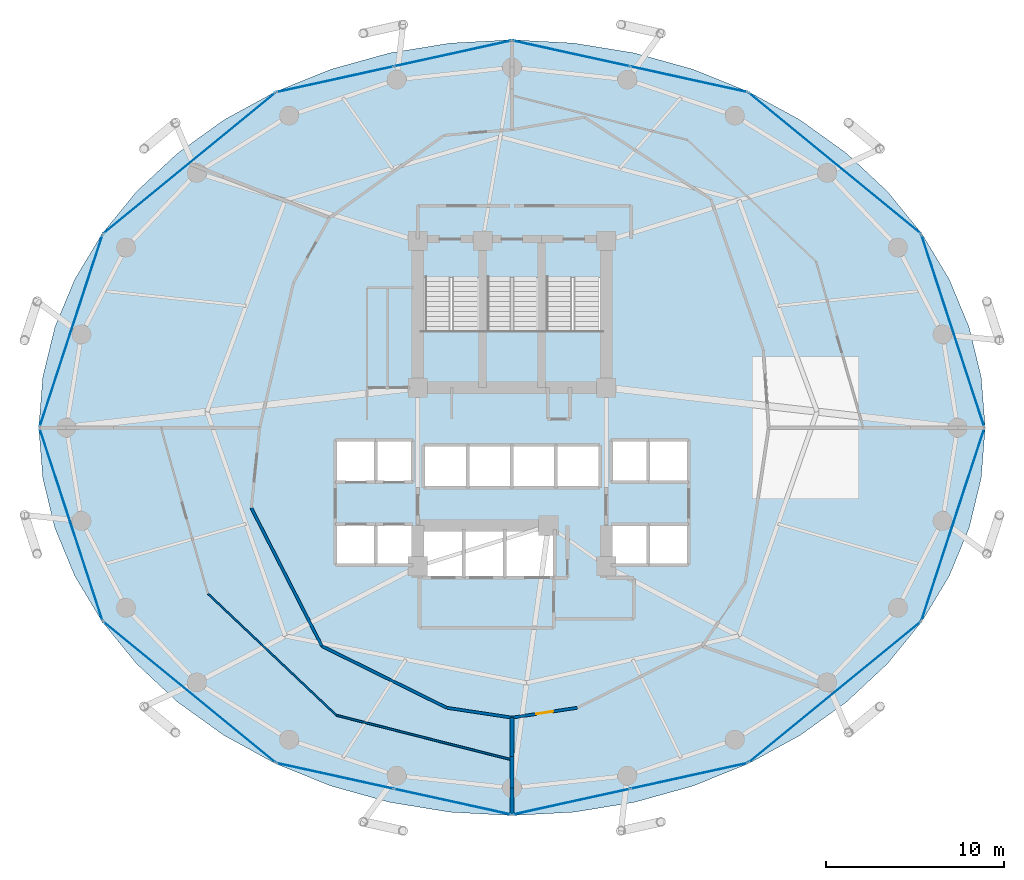
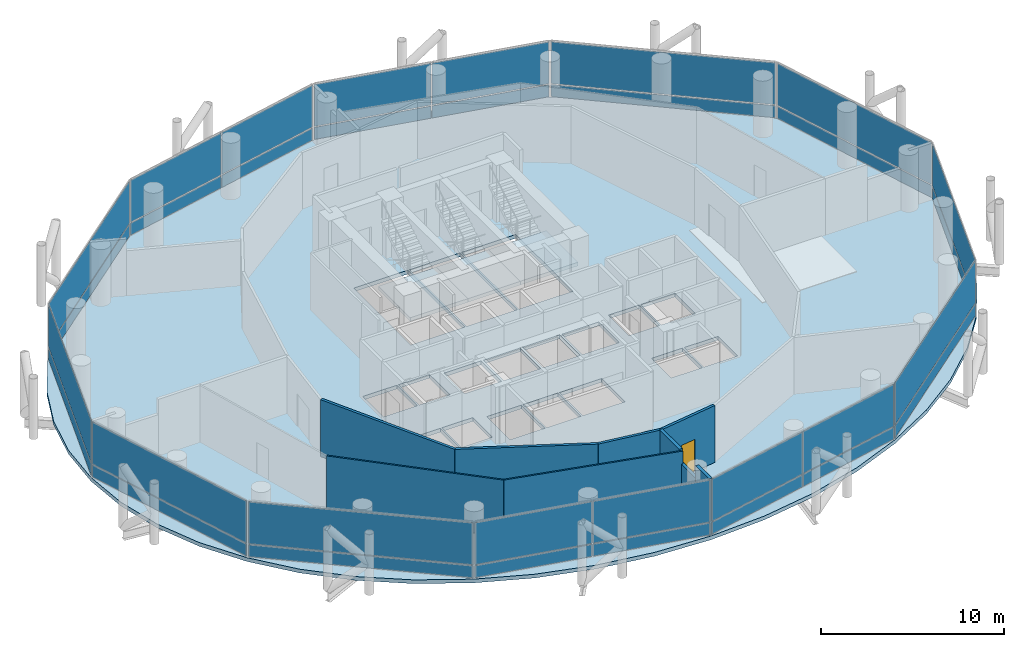
# One storey, part 20 of 24: 32 plates, 9 walls, 4 slabs, 1 door, 1 opening, 15 elements without a shape of their own.
"""IFC4 building model written with IfcOpenShell, lengths in metres."""

from ifc_helpers import new_model, si_unit, direction, frame, frame_2d, origin, origin_2d, place, context, subcontext, project, spatial, polyline, rectangle, outline, extrude, material, layer, layer_set, type_object, element, fill, aggregate, save


model = new_model("IFC4")

# Units and contexts
model_context = context("Model", 3, precision=1e-05, world=origin(), true_north=direction((0.0, 1.0)))
body_context = subcontext(model_context, "Body", "Model", "MODEL_VIEW")
ifc_project = project(units=[si_unit("LENGTHUNIT", "METRE"), si_unit("AREAUNIT", "SQUARE_METRE"), si_unit("VOLUMEUNIT", "CUBIC_METRE"), si_unit("PLANEANGLEUNIT", "RADIAN"), si_unit("MASSUNIT", "GRAM", prefix="KILO")], contexts=[model_context])

# Site, building, storey
site_placement = place(None, origin())
site = spatial("IfcSite", under=ifc_project, at=site_placement, CompositionType="ELEMENT")
building_placement = place(site_placement, origin())
building = spatial("IfcBuilding", under=site, at=building_placement, Name="Nuhasar Tower", CompositionType="ELEMENT")
storey_placement = place(building_placement, frame((0.0, 0.0, 69.60009765625)))
storey = spatial("IfcBuildingStorey", under=building, at=storey_placement, Name="L16", CompositionType="ELEMENT", Elevation=69.60009765625)

# Curtain wall, plate
ifc_material_1 = material(Name="Aluminium 6063-T6", Category="aluminium")
ifc_layer_1 = layer(ifc_material_1, 0.199951171875)
ifc_layer_set_1 = layer_set([ifc_layer_1], Name="Aluminium 6063-T6")
curtain_wall_type = type_object("IfcCurtainWallType", Name="CW-Z1-OFF", PredefinedType="NOTDEFINED", material=ifc_layer_set_1)
curtain_wall_1_placement = place(storey_placement, origin())
curtain_wall_1 = element("IfcCurtainWall", 1, at=curtain_wall_1_placement, inside=storey, type_object=curtain_wall_type, Name="L16 Unitised Curtain Wall 01", PredefinedType="NOTDEFINED")
ifc_material_2 = material(Name="Glass Double Low-E", Category="glass")
ifc_layer_2 = layer(ifc_material_2, 0.028076171875)
ifc_layer_set_2 = layer_set([ifc_layer_2], Name="Glass Double Low-E")
plate_type_1 = type_object("IfcPlateType", Name="CW-PANEL-GLZ", PredefinedType="CURTAIN_PANEL", material=ifc_layer_set_2)
plate_1_placement = place(storey_placement, frame((63.781005859375, 32.239990234375, 0.9326171875), z_axis=(0.0, 0.0, 1.0), x_axis=(-0.310823849997, 0.950467534571, 0.0)))
plate_1 = element("IfcPlate", 2, at=plate_1_placement, type_object=plate_type_1, Name="CW-Z1 panel 1.2", PredefinedType="CURTAIN_PANEL", context=body_context, shape_type="SweptSolid", body=[
    extrude(rectangle(XDim=11.31689453125, YDim=0.028076171875, at=origin_2d()), origin(), (0.0, 0.0, 1.0), 2.802490234375),
])

curtain_wall_2_placement = place(storey_placement, origin())
curtain_wall_2 = element("IfcCurtainWall", 3, at=curtain_wall_2_placement, inside=storey, type_object=curtain_wall_type, Name="L16 Unitised Curtain Wall 02", PredefinedType="NOTDEFINED")
plate_2_placement = place(storey_placement, frame((57.14111328125, 41.66259765625, 0.9326171875), z_axis=(0.0, 0.0, 1.0), x_axis=(-0.773542364946, 0.633744593376, 0.0)))
plate_2 = element("IfcPlate", 4, at=plate_2_placement, type_object=plate_type_1, Name="CW-Z1 panel 1.2", PredefinedType="CURTAIN_PANEL", context=body_context, shape_type="SweptSolid", body=[
    extrude(rectangle(XDim=12.438232421875, YDim=0.028076171875, at=origin_2d()), origin(), (0.0, 0.0, 1.0), 2.802490234375),
])

# Curtain wall, plates
curtain_wall_3_placement = place(storey_placement, origin())
curtain_wall_3 = element("IfcCurtainWall", 5, at=curtain_wall_3_placement, inside=storey, type_object=curtain_wall_type, Name="L16 Unitised Curtain Wall 03", PredefinedType="NOTDEFINED")
plate_3_placement = place(storey_placement, frame((48.944091796875, 46.377197265625, 0.9326171875), z_axis=(0.0, 0.0, 1.0), x_axis=(-0.976746221544, 0.214398737637, 0.0)))
plate_3 = element("IfcPlate", 6, at=plate_3_placement, type_object=plate_type_1, Name="CW-Z1 panel 1.2", PredefinedType="CURTAIN_PANEL", context=body_context, shape_type="SweptSolid", body=[
    extrude(rectangle(XDim=6.70068359375, YDim=0.028076171875, at=origin_2d()), origin(), (0.0, 0.0, 1.0), 2.802490234375),
])
plate_4_placement = place(storey_placement, frame((42.3359375, 47.827880859375, 0.9326171875), z_axis=(0.0, 0.0, 1.0), x_axis=(-0.976746221544, 0.214398737637, 0.0)))
plate_4 = element("IfcPlate", 7, at=plate_4_placement, type_object=plate_type_1, Name="CW-Z1 panel 2.2", PredefinedType="CURTAIN_PANEL", context=body_context, shape_type="SweptSolid", body=[
    extrude(rectangle(XDim=6.70068359375, YDim=0.028076171875, at=origin_2d()), origin(), (0.0, 0.0, 1.0), 2.802490234375),
])

curtain_wall_4_placement = place(storey_placement, origin())
curtain_wall_4 = element("IfcCurtainWall", 8, at=curtain_wall_4_placement, inside=storey, type_object=curtain_wall_type, Name="L16 Unitised Curtain Wall 04", PredefinedType="NOTDEFINED")
plate_5_placement = place(storey_placement, frame((35.6640625, 47.827880859375, 0.9326171875), z_axis=(0.0, 0.0, 1.0), x_axis=(-0.976746221544, -0.214398737637, 0.0)))
plate_5 = element("IfcPlate", 9, at=plate_5_placement, type_object=plate_type_1, Name="CW-Z1 panel 1.2", PredefinedType="CURTAIN_PANEL", context=body_context, shape_type="SweptSolid", body=[
    extrude(rectangle(XDim=6.70068359375, YDim=0.028076171875, at=origin_2d()), origin(), (0.0, 0.0, 1.0), 2.802490234375),
])
plate_6_placement = place(storey_placement, frame((29.055908203125, 46.377197265625, 0.9326171875), z_axis=(0.0, 0.0, 1.0), x_axis=(-0.976746221544, -0.214398737637, 0.0)))
plate_6 = element("IfcPlate", 10, at=plate_6_placement, type_object=plate_type_1, Name="CW-Z1 panel 2.2", PredefinedType="CURTAIN_PANEL", context=body_context, shape_type="SweptSolid", body=[
    extrude(rectangle(XDim=6.70068359375, YDim=0.028076171875, at=origin_2d()), origin(), (0.0, 0.0, 1.0), 2.802490234375),
])

# Curtain wall, plate
curtain_wall_5_placement = place(storey_placement, origin())
curtain_wall_5 = element("IfcCurtainWall", 11, at=curtain_wall_5_placement, inside=storey, type_object=curtain_wall_type, Name="L16 Unitised Curtain Wall 05", PredefinedType="NOTDEFINED")
plate_7_placement = place(storey_placement, frame((20.85888671875, 41.66259765625, 0.9326171875), z_axis=(0.0, 0.0, 1.0), x_axis=(-0.773542364946, -0.633744593376, 0.0)))
plate_7 = element("IfcPlate", 12, at=plate_7_placement, type_object=plate_type_1, Name="CW-Z1 panel 1.2", PredefinedType="CURTAIN_PANEL", context=body_context, shape_type="SweptSolid", body=[
    extrude(rectangle(XDim=12.438232421875, YDim=0.028076171875, at=origin_2d()), origin(), (0.0, 0.0, 1.0), 2.802490234375),
])

curtain_wall_6_placement = place(storey_placement, origin())
curtain_wall_6 = element("IfcCurtainWall", 13, at=curtain_wall_6_placement, inside=storey, type_object=curtain_wall_type, Name="L16 Unitised Curtain Wall 06", PredefinedType="NOTDEFINED")
plate_8_placement = place(storey_placement, frame((14.218994140625, 32.239990234375, 0.9326171875), z_axis=(0.0, 0.0, 1.0), x_axis=(-0.310823849997, -0.950467534571, 0.0)))
plate_8 = element("IfcPlate", 14, at=plate_8_placement, type_object=plate_type_1, Name="CW-Z1 panel 1.2", PredefinedType="CURTAIN_PANEL", context=body_context, shape_type="SweptSolid", body=[
    extrude(rectangle(XDim=11.31689453125, YDim=0.028076171875, at=origin_2d()), origin(), (0.0, 0.0, 1.0), 2.802490234375),
])

curtain_wall_7_placement = place(storey_placement, origin())
curtain_wall_7 = element("IfcCurtainWall", 15, at=curtain_wall_7_placement, inside=storey, type_object=curtain_wall_type, Name="L16 Unitised Curtain Wall 07", PredefinedType="NOTDEFINED")
plate_9_placement = place(storey_placement, frame((14.218994140625, 21.360107421875, 0.9326171875), z_axis=(0.0, 0.0, 1.0), x_axis=(0.310823849997, -0.950467534571, 0.0)))
plate_9 = element("IfcPlate", 16, at=plate_9_placement, type_object=plate_type_1, Name="CW-Z1 panel 1.2", PredefinedType="CURTAIN_PANEL", context=body_context, shape_type="SweptSolid", body=[
    extrude(rectangle(XDim=11.31689453125, YDim=0.028076171875, at=origin_2d()), origin(), (0.0, 0.0, 1.0), 2.802490234375),
])

curtain_wall_8_placement = place(storey_placement, origin())
curtain_wall_8 = element("IfcCurtainWall", 17, at=curtain_wall_8_placement, inside=storey, type_object=curtain_wall_type, Name="L16 Unitised Curtain Wall 08", PredefinedType="NOTDEFINED")
plate_10_placement = place(storey_placement, frame((20.85888671875, 11.9375, 0.9326171875), z_axis=(0.0, 0.0, 1.0), x_axis=(0.773542364946, -0.633744593376, 0.0)))
plate_10 = element("IfcPlate", 18, at=plate_10_placement, type_object=plate_type_1, Name="CW-Z1 panel 1.2", PredefinedType="CURTAIN_PANEL", context=body_context, shape_type="SweptSolid", body=[
    extrude(rectangle(XDim=12.438232421875, YDim=0.028076171875, at=origin_2d()), origin(), (0.0, 0.0, 1.0), 2.802490234375),
])

# Curtain wall, plates
curtain_wall_9_placement = place(storey_placement, origin())
curtain_wall_9 = element("IfcCurtainWall", 19, at=curtain_wall_9_placement, inside=storey, type_object=curtain_wall_type, Name="L16 Unitised Curtain Wall 09", PredefinedType="NOTDEFINED")
plate_11_placement = place(storey_placement, frame((29.055908203125, 7.22265625, 0.9326171875), z_axis=(0.0, 0.0, 1.0), x_axis=(0.976746221544, -0.214398737637, 0.0)))
plate_11 = element("IfcPlate", 20, at=plate_11_placement, type_object=plate_type_1, Name="CW-Z1 panel 1.2", PredefinedType="CURTAIN_PANEL", context=body_context, shape_type="SweptSolid", body=[
    extrude(rectangle(XDim=6.70068359375, YDim=0.028076171875, at=origin_2d()), origin(), (0.0, 0.0, 1.0), 2.802490234375),
])
plate_12_placement = place(storey_placement, frame((35.6640625, 5.772216796875, 0.9326171875), z_axis=(0.0, 0.0, 1.0), x_axis=(0.976746221544, -0.214398737637, 0.0)))
plate_12 = element("IfcPlate", 21, at=plate_12_placement, type_object=plate_type_1, Name="CW-Z1 panel 2.2", PredefinedType="CURTAIN_PANEL", context=body_context, shape_type="SweptSolid", body=[
    extrude(rectangle(XDim=6.70068359375, YDim=0.028076171875, at=origin_2d()), origin(), (0.0, 0.0, 1.0), 2.802490234375),
])

curtain_wall_10_placement = place(storey_placement, origin())
curtain_wall_10 = element("IfcCurtainWall", 22, at=curtain_wall_10_placement, inside=storey, type_object=curtain_wall_type, Name="L16 Unitised Curtain Wall 10", PredefinedType="NOTDEFINED")
plate_13_placement = place(storey_placement, frame((42.3359375, 5.772216796875, 0.9326171875), z_axis=(0.0, 0.0, 1.0), x_axis=(0.976746221544, 0.214398737637, 0.0)))
plate_13 = element("IfcPlate", 23, at=plate_13_placement, type_object=plate_type_1, Name="CW-Z1 panel 1.2", PredefinedType="CURTAIN_PANEL", context=body_context, shape_type="SweptSolid", body=[
    extrude(rectangle(XDim=6.70068359375, YDim=0.028076171875, at=origin_2d()), origin(), (0.0, 0.0, 1.0), 2.802490234375),
])
plate_14_placement = place(storey_placement, frame((48.944091796875, 7.22265625, 0.9326171875), z_axis=(0.0, 0.0, 1.0), x_axis=(0.976746221544, 0.214398737637, 0.0)))
plate_14 = element("IfcPlate", 24, at=plate_14_placement, type_object=plate_type_1, Name="CW-Z1 panel 2.2", PredefinedType="CURTAIN_PANEL", context=body_context, shape_type="SweptSolid", body=[
    extrude(rectangle(XDim=6.70068359375, YDim=0.028076171875, at=origin_2d()), origin(), (0.0, 0.0, 1.0), 2.802490234375),
])

# Curtain wall, plate
curtain_wall_11_placement = place(storey_placement, origin())
curtain_wall_11 = element("IfcCurtainWall", 25, at=curtain_wall_11_placement, inside=storey, type_object=curtain_wall_type, Name="L16 Unitised Curtain Wall 11", PredefinedType="NOTDEFINED")
plate_15_placement = place(storey_placement, frame((57.14111328125, 11.9375, 0.9326171875), z_axis=(0.0, 0.0, 1.0), x_axis=(0.773542364946, 0.633744593376, 0.0)))
plate_15 = element("IfcPlate", 26, at=plate_15_placement, type_object=plate_type_1, Name="CW-Z1 panel 1.2", PredefinedType="CURTAIN_PANEL", context=body_context, shape_type="SweptSolid", body=[
    extrude(rectangle(XDim=12.438232421875, YDim=0.028076171875, at=origin_2d()), origin(), (0.0, 0.0, 1.0), 2.802490234375),
])

curtain_wall_12_placement = place(storey_placement, origin())
curtain_wall_12 = element("IfcCurtainWall", 27, at=curtain_wall_12_placement, inside=storey, type_object=curtain_wall_type, Name="L16 Unitised Curtain Wall 12", PredefinedType="NOTDEFINED")
plate_16_placement = place(storey_placement, frame((63.781005859375, 21.360107421875, 0.9326171875), z_axis=(0.0, 0.0, 1.0), x_axis=(0.310823849997, 0.950467534571, 0.0)))
plate_16 = element("IfcPlate", 28, at=plate_16_placement, type_object=plate_type_1, Name="CW-Z1 panel 1.2", PredefinedType="CURTAIN_PANEL", context=body_context, shape_type="SweptSolid", body=[
    extrude(rectangle(XDim=11.31689453125, YDim=0.028076171875, at=origin_2d()), origin(), (0.0, 0.0, 1.0), 2.802490234375),
])

# Plate
ifc_material_3 = material(Name="Glass Spandrel", Category="glass")
ifc_layer_3 = layer(ifc_material_3, 0.035888671875)
ifc_layer_set_3 = layer_set([ifc_layer_3], Name="Glass Spandrel")
plate_type_2 = type_object("IfcPlateType", Name="CW-PANEL-SPN", PredefinedType="CURTAIN_PANEL", material=ifc_layer_set_3)
plate_17_placement = place(storey_placement, frame((63.781005859375, 32.239990234375, 0.06494140625), z_axis=(0.0, 0.0, 1.0), x_axis=(-0.310823849997, 0.950467534571, 0.0)))
plate_17 = element("IfcPlate", 29, at=plate_17_placement, type_object=plate_type_2, Name="CW-Z1 panel 1.1", PredefinedType="CURTAIN_PANEL", context=body_context, shape_type="SweptSolid", body=[
    extrude(rectangle(XDim=11.31689453125, YDim=0.035888671875, at=origin_2d()), origin(), (0.0, 0.0, 1.0), 0.802490234375),
])

aggregate(curtain_wall_1, [plate_17, plate_1])

plate_18_placement = place(storey_placement, frame((57.14111328125, 41.66259765625, 0.06494140625), z_axis=(0.0, 0.0, 1.0), x_axis=(-0.773542364946, 0.633744593376, 0.0)))
plate_18 = element("IfcPlate", 30, at=plate_18_placement, type_object=plate_type_2, Name="CW-Z1 panel 1.1", PredefinedType="CURTAIN_PANEL", context=body_context, shape_type="SweptSolid", body=[
    extrude(rectangle(XDim=12.438232421875, YDim=0.035888671875, at=origin_2d()), origin(), (0.0, 0.0, 1.0), 0.802490234375),
])

aggregate(curtain_wall_2, [plate_18, plate_2])

plate_19_placement = place(storey_placement, frame((48.944091796875, 46.377197265625, 0.06494140625), z_axis=(0.0, 0.0, 1.0), x_axis=(-0.976746221544, 0.214398737637, 0.0)))
plate_19 = element("IfcPlate", 31, at=plate_19_placement, type_object=plate_type_2, Name="CW-Z1 panel 1.1", PredefinedType="CURTAIN_PANEL", context=body_context, shape_type="SweptSolid", body=[
    extrude(rectangle(XDim=6.70068359375, YDim=0.035888671875, at=origin_2d()), origin(), (0.0, 0.0, 1.0), 0.802490234375),
])

plate_20_placement = place(storey_placement, frame((42.3359375, 47.827880859375, 0.06494140625), z_axis=(0.0, 0.0, 1.0), x_axis=(-0.976746221544, 0.214398737637, 0.0)))
plate_20 = element("IfcPlate", 32, at=plate_20_placement, type_object=plate_type_2, Name="CW-Z1 panel 2.1", PredefinedType="CURTAIN_PANEL", context=body_context, shape_type="SweptSolid", body=[
    extrude(rectangle(XDim=6.70068359375, YDim=0.035888671875, at=origin_2d()), origin(), (0.0, 0.0, 1.0), 0.802490234375),
])

aggregate(curtain_wall_3, [plate_19, plate_3, plate_20, plate_4])

plate_21_placement = place(storey_placement, frame((35.6640625, 47.827880859375, 0.06494140625), z_axis=(0.0, 0.0, 1.0), x_axis=(-0.976746221544, -0.214398737637, 0.0)))
plate_21 = element("IfcPlate", 33, at=plate_21_placement, type_object=plate_type_2, Name="CW-Z1 panel 1.1", PredefinedType="CURTAIN_PANEL", context=body_context, shape_type="SweptSolid", body=[
    extrude(rectangle(XDim=6.70068359375, YDim=0.035888671875, at=origin_2d()), origin(), (0.0, 0.0, 1.0), 0.802490234375),
])

plate_22_placement = place(storey_placement, frame((29.055908203125, 46.377197265625, 0.06494140625), z_axis=(0.0, 0.0, 1.0), x_axis=(-0.976746221544, -0.214398737637, 0.0)))
plate_22 = element("IfcPlate", 34, at=plate_22_placement, type_object=plate_type_2, Name="CW-Z1 panel 2.1", PredefinedType="CURTAIN_PANEL", context=body_context, shape_type="SweptSolid", body=[
    extrude(rectangle(XDim=6.70068359375, YDim=0.035888671875, at=origin_2d()), origin(), (0.0, 0.0, 1.0), 0.802490234375),
])

aggregate(curtain_wall_4, [plate_21, plate_5, plate_22, plate_6])

plate_23_placement = place(storey_placement, frame((20.85888671875, 41.66259765625, 0.06494140625), z_axis=(0.0, 0.0, 1.0), x_axis=(-0.773542364946, -0.633744593376, 0.0)))
plate_23 = element("IfcPlate", 35, at=plate_23_placement, type_object=plate_type_2, Name="CW-Z1 panel 1.1", PredefinedType="CURTAIN_PANEL", context=body_context, shape_type="SweptSolid", body=[
    extrude(rectangle(XDim=12.438232421875, YDim=0.035888671875, at=origin_2d()), origin(), (0.0, 0.0, 1.0), 0.802490234375),
])

aggregate(curtain_wall_5, [plate_23, plate_7])

plate_24_placement = place(storey_placement, frame((14.218994140625, 32.239990234375, 0.06494140625), z_axis=(0.0, 0.0, 1.0), x_axis=(-0.310823849997, -0.950467534571, 0.0)))
plate_24 = element("IfcPlate", 36, at=plate_24_placement, type_object=plate_type_2, Name="CW-Z1 panel 1.1", PredefinedType="CURTAIN_PANEL", context=body_context, shape_type="SweptSolid", body=[
    extrude(rectangle(XDim=11.31689453125, YDim=0.035888671875, at=origin_2d()), origin(), (0.0, 0.0, 1.0), 0.802490234375),
])

aggregate(curtain_wall_6, [plate_24, plate_8])

plate_25_placement = place(storey_placement, frame((14.218994140625, 21.360107421875, 0.06494140625), z_axis=(0.0, 0.0, 1.0), x_axis=(0.310823849997, -0.950467534571, 0.0)))
plate_25 = element("IfcPlate", 37, at=plate_25_placement, type_object=plate_type_2, Name="CW-Z1 panel 1.1", PredefinedType="CURTAIN_PANEL", context=body_context, shape_type="SweptSolid", body=[
    extrude(rectangle(XDim=11.31689453125, YDim=0.035888671875, at=origin_2d()), origin(), (0.0, 0.0, 1.0), 0.802490234375),
])

aggregate(curtain_wall_7, [plate_25, plate_9])

plate_26_placement = place(storey_placement, frame((20.85888671875, 11.9375, 0.06494140625), z_axis=(0.0, 0.0, 1.0), x_axis=(0.773542364946, -0.633744593376, 0.0)))
plate_26 = element("IfcPlate", 38, at=plate_26_placement, type_object=plate_type_2, Name="CW-Z1 panel 1.1", PredefinedType="CURTAIN_PANEL", context=body_context, shape_type="SweptSolid", body=[
    extrude(rectangle(XDim=12.438232421875, YDim=0.035888671875, at=origin_2d()), origin(), (0.0, 0.0, 1.0), 0.802490234375),
])

aggregate(curtain_wall_8, [plate_26, plate_10])

plate_27_placement = place(storey_placement, frame((29.055908203125, 7.22265625, 0.06494140625), z_axis=(0.0, 0.0, 1.0), x_axis=(0.976746221544, -0.214398737637, 0.0)))
plate_27 = element("IfcPlate", 39, at=plate_27_placement, type_object=plate_type_2, Name="CW-Z1 panel 1.1", PredefinedType="CURTAIN_PANEL", context=body_context, shape_type="SweptSolid", body=[
    extrude(rectangle(XDim=6.70068359375, YDim=0.035888671875, at=origin_2d()), origin(), (0.0, 0.0, 1.0), 0.802490234375),
])

plate_28_placement = place(storey_placement, frame((35.6640625, 5.772216796875, 0.06494140625), z_axis=(0.0, 0.0, 1.0), x_axis=(0.976746221544, -0.214398737637, 0.0)))
plate_28 = element("IfcPlate", 40, at=plate_28_placement, type_object=plate_type_2, Name="CW-Z1 panel 2.1", PredefinedType="CURTAIN_PANEL", context=body_context, shape_type="SweptSolid", body=[
    extrude(rectangle(XDim=6.70068359375, YDim=0.035888671875, at=origin_2d()), origin(), (0.0, 0.0, 1.0), 0.802490234375),
])

aggregate(curtain_wall_9, [plate_27, plate_11, plate_28, plate_12])

plate_29_placement = place(storey_placement, frame((42.3359375, 5.772216796875, 0.06494140625), z_axis=(0.0, 0.0, 1.0), x_axis=(0.976746221544, 0.214398737637, 0.0)))
plate_29 = element("IfcPlate", 41, at=plate_29_placement, type_object=plate_type_2, Name="CW-Z1 panel 1.1", PredefinedType="CURTAIN_PANEL", context=body_context, shape_type="SweptSolid", body=[
    extrude(rectangle(XDim=6.70068359375, YDim=0.035888671875, at=origin_2d()), origin(), (0.0, 0.0, 1.0), 0.802490234375),
])

plate_30_placement = place(storey_placement, frame((48.944091796875, 7.22265625, 0.06494140625), z_axis=(0.0, 0.0, 1.0), x_axis=(0.976746221544, 0.214398737637, 0.0)))
plate_30 = element("IfcPlate", 42, at=plate_30_placement, type_object=plate_type_2, Name="CW-Z1 panel 2.1", PredefinedType="CURTAIN_PANEL", context=body_context, shape_type="SweptSolid", body=[
    extrude(rectangle(XDim=6.70068359375, YDim=0.035888671875, at=origin_2d()), origin(), (0.0, 0.0, 1.0), 0.802490234375),
])

aggregate(curtain_wall_10, [plate_29, plate_13, plate_30, plate_14])

plate_31_placement = place(storey_placement, frame((57.14111328125, 11.9375, 0.06494140625), z_axis=(0.0, 0.0, 1.0), x_axis=(0.773542364946, 0.633744593376, 0.0)))
plate_31 = element("IfcPlate", 43, at=plate_31_placement, type_object=plate_type_2, Name="CW-Z1 panel 1.1", PredefinedType="CURTAIN_PANEL", context=body_context, shape_type="SweptSolid", body=[
    extrude(rectangle(XDim=12.438232421875, YDim=0.035888671875, at=origin_2d()), origin(), (0.0, 0.0, 1.0), 0.802490234375),
])

aggregate(curtain_wall_11, [plate_31, plate_15])

plate_32_placement = place(storey_placement, frame((63.781005859375, 21.360107421875, 0.06494140625), z_axis=(0.0, 0.0, 1.0), x_axis=(0.310823849997, 0.950467534571, 0.0)))
plate_32 = element("IfcPlate", 44, at=plate_32_placement, type_object=plate_type_2, Name="CW-Z1 panel 1.1", PredefinedType="CURTAIN_PANEL", context=body_context, shape_type="SweptSolid", body=[
    extrude(rectangle(XDim=11.31689453125, YDim=0.035888671875, at=origin_2d()), origin(), (0.0, 0.0, 1.0), 0.802490234375),
])

aggregate(curtain_wall_12, [plate_32, plate_16])

# Stair, slab
ifc_material_4 = material(Name="Concrete C45/55", Category="concrete")
stair_type_1 = type_object("IfcStairType", Name="STR-ST-01-2F-24R-1688", PredefinedType="HALF_TURN_STAIR", material=ifc_material_4)
stair_1_placement = place(storey_placement, origin())
stair_1 = element("IfcStair", 45, at=stair_1_placement, inside=storey, type_object=stair_type_1, Name="L16 Exit Stair ST-01", PredefinedType="HALF_TURN_STAIR")
ifc_layer_4 = layer(ifc_material_4, 0.239990234375)
ifc_layer_set_4 = layer_set([ifc_layer_4], Name="Concrete C45/55")
slab_type_1 = type_object("IfcSlabType", Name="SLB-STAIR-LND-240", PredefinedType="LANDING", material=ifc_layer_set_4)
slab_1_placement = place(storey_placement, frame((0.0, 0.0, 1.784912109375)))
slab_1 = element("IfcSlab", 46, at=slab_1_placement, type_object=slab_type_1, Name="ST-01 landing 1", PredefinedType="LANDING", context=body_context, shape_type="SweptSolid", body=[
    extrude(outline(polyline([(33.699951171875, 28.75), (37.35009765625, 28.75), (37.35009765625, 32.239990234375), (33.699951171875, 32.239990234375), (33.699951171875, 28.75)])), origin(), (0.0, 0.0, 1.0), 0.239990234375),
])
aggregate(stair_1, [slab_1])

stair_type_2 = type_object("IfcStairType", Name="STR-ST-03-2F-24R-1688", PredefinedType="HALF_TURN_STAIR", material=ifc_material_4)
stair_2_placement = place(storey_placement, origin())
stair_2 = element("IfcStair", 47, at=stair_2_placement, inside=storey, type_object=stair_type_2, Name="L16 Exit Stair ST-03", PredefinedType="HALF_TURN_STAIR")
slab_2_placement = place(storey_placement, frame((0.0, 0.0, 1.784912109375)))
slab_2 = element("IfcSlab", 48, at=slab_2_placement, type_object=slab_type_1, Name="ST-03 landing 1", PredefinedType="LANDING", context=body_context, shape_type="SweptSolid", body=[
    extrude(outline(polyline([(37.35009765625, 28.75), (40.64990234375, 28.75), (40.64990234375, 32.239990234375), (37.35009765625, 32.239990234375), (37.35009765625, 28.75)])), origin(), (0.0, 0.0, 1.0), 0.239990234375),
])
aggregate(stair_2, [slab_2])

stair_type_3 = type_object("IfcStairType", Name="STR-ST-02-2F-24R-1688", PredefinedType="HALF_TURN_STAIR", material=ifc_material_4)
stair_3_placement = place(storey_placement, origin())
stair_3 = element("IfcStair", 49, at=stair_3_placement, inside=storey, type_object=stair_type_3, Name="L16 Exit Stair ST-02", PredefinedType="HALF_TURN_STAIR")
slab_3_placement = place(storey_placement, frame((0.0, 0.0, 1.784912109375)))
slab_3 = element("IfcSlab", 50, at=slab_3_placement, type_object=slab_type_1, Name="ST-02 landing 1", PredefinedType="LANDING", context=body_context, shape_type="SweptSolid", body=[
    extrude(outline(polyline([(40.64990234375, 28.75), (44.300048828125, 28.75), (44.300048828125, 32.239990234375), (40.64990234375, 32.239990234375), (40.64990234375, 28.75)])), origin(), (0.0, 0.0, 1.0), 0.239990234375),
])
aggregate(stair_3, [slab_3])

# Slab
ifc_layer_5 = layer(ifc_material_4, 0.25)
ifc_layer_set_5 = layer_set([ifc_layer_5], Name="Concrete C45/55")
slab_type_2 = type_object("IfcSlabType", Name="SLB-Z1B-250", PredefinedType="FLOOR", material=ifc_layer_set_5)
slab_4_placement = place(storey_placement, frame((0.0, 0.0, -0.25)))
element("IfcSlab", 51, at=slab_4_placement, inside=storey, type_object=slab_type_2, Name="L16 Structural Slab", PredefinedType="FLOOR", context=body_context, shape_type="SweptSolid", body=[
    extrude(outline(polyline([(65.60009765625, 26.800048828125), (65.3720703125, 29.64501953125), (64.694091796875, 32.44189453125), (63.574951171875, 35.14208984375), (62.035888671875, 37.699951171875), (60.10302734375, 40.071044921875), (57.80908203125, 42.215087890625), (55.193115234375, 44.094970703125), (52.300048828125, 45.678955078125), (49.178955078125, 46.94091796875), (45.885009765625, 47.85693359375), (42.471923828125, 48.4130859375), (39.0, 48.60009765625), (35.528076171875, 48.4130859375), (32.114990234375, 47.85693359375), (28.821044921875, 46.94091796875), (25.699951171875, 45.678955078125), (22.806884765625, 44.094970703125), (20.19091796875, 42.215087890625), (17.89697265625, 40.071044921875), (15.964111328125, 37.699951171875), (14.425048828125, 35.14208984375), (13.305908203125, 32.44189453125), (12.6279296875, 29.64501953125), (12.39990234375, 26.800048828125), (12.6279296875, 23.955078125), (13.305908203125, 21.157958984375), (14.425048828125, 18.4580078125), (15.964111328125, 15.89990234375), (17.89697265625, 13.529052734375), (20.19091796875, 11.385009765625), (22.806884765625, 9.5048828125), (25.699951171875, 7.9208984375), (28.821044921875, 6.658935546875), (32.114990234375, 5.742919921875), (35.528076171875, 5.18701171875), (39.0, 5.0), (42.471923828125, 5.18701171875), (45.885009765625, 5.742919921875), (49.178955078125, 6.658935546875), (52.300048828125, 7.9208984375), (55.193115234375, 9.5048828125), (57.80908203125, 11.385009765625), (60.10302734375, 13.529052734375), (62.035888671875, 15.89990234375), (63.574951171875, 18.4580078125), (64.694091796875, 21.157958984375), (65.3720703125, 23.955078125), (65.60009765625, 26.800048828125)]), holes=[polyline([(33.8798828125, 35.25), (37.300048828125, 35.25), (37.300048828125, 29.0), (33.8798828125, 29.0), (33.8798828125, 35.25)]), polyline([(37.39990234375, 35.25), (40.60009765625, 35.25), (40.60009765625, 29.0), (37.39990234375, 29.0), (37.39990234375, 35.25)]), polyline([(40.699951171875, 35.25), (44.1201171875, 35.25), (44.1201171875, 29.0), (40.699951171875, 29.0), (40.699951171875, 35.25)]), polyline([(29.14990234375, 26.050048828125), (31.300048828125, 26.050048828125), (31.300048828125, 23.800048828125), (29.14990234375, 23.800048828125), (29.14990234375, 26.050048828125)]), polyline([(31.39990234375, 26.050048828125), (33.35009765625, 26.050048828125), (33.35009765625, 23.800048828125), (31.39990234375, 23.800048828125), (31.39990234375, 26.050048828125)]), polyline([(29.14990234375, 21.300048828125), (31.300048828125, 21.300048828125), (31.300048828125, 19.14990234375), (29.14990234375, 19.14990234375), (29.14990234375, 21.300048828125)]), polyline([(31.39990234375, 21.300048828125), (33.35009765625, 21.300048828125), (33.35009765625, 19.14990234375), (31.39990234375, 19.14990234375), (31.39990234375, 21.300048828125)]), polyline([(44.64990234375, 26.050048828125), (46.60009765625, 26.050048828125), (46.60009765625, 23.800048828125), (44.64990234375, 23.800048828125), (44.64990234375, 26.050048828125)]), polyline([(46.699951171875, 26.050048828125), (48.85009765625, 26.050048828125), (48.85009765625, 23.800048828125), (46.699951171875, 23.800048828125), (46.699951171875, 26.050048828125)]), polyline([(44.64990234375, 21.300048828125), (46.60009765625, 21.300048828125), (46.60009765625, 19.14990234375), (44.64990234375, 19.14990234375), (44.64990234375, 21.300048828125)]), polyline([(46.699951171875, 21.300048828125), (48.85009765625, 21.300048828125), (48.85009765625, 19.14990234375), (46.699951171875, 19.14990234375), (46.699951171875, 21.300048828125)]), polyline([(34.10009765625, 25.75), (36.43994140625, 25.75), (36.43994140625, 23.5), (34.10009765625, 23.5), (34.10009765625, 25.75)]), polyline([(36.580078125, 25.75), (38.919921875, 25.75), (38.919921875, 23.5), (36.580078125, 23.5), (36.580078125, 25.75)]), polyline([(39.06005859375, 25.75), (41.39990234375, 25.75), (41.39990234375, 23.5), (39.06005859375, 23.5), (39.06005859375, 25.75)]), polyline([(41.5400390625, 25.75), (43.8798828125, 25.75), (43.8798828125, 23.5), (41.5400390625, 23.5), (41.5400390625, 25.75)]), polyline([(34.050048828125, 21.0), (36.25, 21.0), (36.25, 18.449951171875), (34.050048828125, 18.449951171875), (34.050048828125, 21.0)]), polyline([(36.35009765625, 21.0), (38.550048828125, 21.0), (38.550048828125, 18.449951171875), (36.35009765625, 18.449951171875), (36.35009765625, 21.0)]), polyline([(38.64990234375, 21.0), (41.320068359375, 21.0), (41.320068359375, 18.449951171875), (38.64990234375, 18.449951171875), (38.64990234375, 21.0)])]), origin(), (0.0, 0.0, 1.0), 0.25),
])

# Walls
ifc_material_5 = material(Name="Gypsum Board", Category="gypsum")
ifc_layer_6 = layer(ifc_material_5, 0.159912109375)
ifc_layer_set_6 = layer_set([ifc_layer_6], Name="Gypsum Board")
wall_type_1 = type_object("IfcWallType", Name="WL-CORR-160", PredefinedType="PARTITIONING", material=ifc_layer_set_6)
wall_1_placement = place(storey_placement, frame((24.346923828125, 22.287109375, 0.0), z_axis=(0.0, 0.0, 1.0), x_axis=(0.455122402034, -0.890428884958, 0.0)))
element("IfcWall", 52, at=wall_1_placement, inside=storey, type_object=wall_type_1, Name="L16 Interior Partition CORR-26", PredefinedType="PARTITIONING", context=body_context, shape_type="SweptSolid", body=[
    extrude(rectangle(XDim=8.722900390625, YDim=0.159912109375, at=frame_2d((4.361328125, 0.0))), origin(), (0.0, 0.0, 1.0), 3.7998046875),
])
wall_2_placement = place(storey_placement, frame((28.31689453125, 14.52001953125, 0.0), z_axis=(0.0, 0.0, 1.0), x_axis=(0.896539401739, -0.442963995296, 0.0)))
element("IfcWall", 53, at=wall_2_placement, inside=storey, type_object=wall_type_1, Name="L16 Interior Partition CORR-30", PredefinedType="PARTITIONING", context=body_context, shape_type="SweptSolid", body=[
    extrude(rectangle(XDim=7.822509765625, YDim=0.159912109375, at=frame_2d((3.9111328125, 0.0))), origin(), (0.0, 0.0, 1.0), 3.7998046875),
])
wall_3_placement = place(storey_placement, frame((35.330078125, 11.054931640625, 0.0), z_axis=(0.0, 0.0, 1.0), x_axis=(0.988760040019, -0.149511147616, 0.0)))
element("IfcWall", 54, at=wall_3_placement, inside=storey, type_object=wall_type_1, Name="L16 Interior Partition CORR-34", PredefinedType="PARTITIONING", context=body_context, shape_type="SweptSolid", body=[
    extrude(rectangle(XDim=3.711669921875, YDim=0.159912109375, at=frame_2d((1.85595703125, 0.0))), origin(), (0.0, 0.0, 1.0), 3.7998046875),
])

# Wall, opening, door
wall_4_placement = place(storey_placement, frame((42.669921875, 11.054931640625, 0.0), z_axis=(0.0, 0.0, 1.0), x_axis=(-0.988760040019, -0.149511147616, 0.0)))
wall_4 = element("IfcWall", 55, at=wall_4_placement, inside=storey, type_object=wall_type_1, Name="L16 Interior Partition CORR-36", PredefinedType="PARTITIONING", context=body_context, shape_type="SweptSolid", body=[
    extrude(rectangle(XDim=3.711669921875, YDim=0.159912109375, at=frame_2d((1.85595703125, 0.0))), origin(), (0.0, 0.0, 1.0), 3.7998046875),
])
opening_placement = place(wall_4_placement, frame((1.381103515625, 0.0, 0.0)))
opening = element("IfcOpeningElement", 56, at=opening_placement, cuts=wall_4, Name="Opening DO-01", PredefinedType="OPENING", context=body_context, shape_type="SweptSolid", body=[
    extrude(rectangle(XDim=0.949951171875, YDim=2.14990234375, at=frame_2d((0.47509765625, 1.074951171875))), frame((0.0, 0.08984375, 0.0), z_axis=(0.0, -1.0, 0.0), x_axis=(1.0, 0.0, 0.0)), (0.0, 0.0, 1.0), 0.179931640625),
])
ifc_material_6 = material(Name="Timber Oak", Category="wood")
door_type = type_object("IfcDoorType", Name="DR-OFFICE-FD30-950", OperationType="NOTDEFINED", PredefinedType="DOOR", material=ifc_material_6)
door_placement = place(opening_placement, origin())
door = element("IfcDoor", 57, at=door_placement, inside=storey, type_object=door_type, Name="L16 Scrum Seminar Room Entry Door", OperationType="SINGLE_SWING_LEFT", OverallHeight=2.14990234375, OverallWidth=0.949951171875, PredefinedType="DOOR", context=body_context, shape_type="SweptSolid", body=[
    extrude(rectangle(XDim=0.949951171875, YDim=2.14990234375, at=frame_2d((0.47509765625, 1.074951171875))), frame((0.0, 0.02490234375, 0.0), z_axis=(0.0, -1.0, 0.0), x_axis=(1.0, 0.0, 0.0)), (0.0, 0.0, 1.0), 0.050048828125),
])
fill(opening, door)

# Walls
ifc_layer_7 = layer(ifc_material_1, 0.10009765625)
ifc_layer_set_7 = layer_set([ifc_layer_7], Name="Aluminium 6063-T6")
wall_type_2 = type_object("IfcWallType", Name="WL-MOVABLE-100", PredefinedType="MOVABLE", material=ifc_layer_set_7)
wall_5_placement = place(storey_placement, frame((21.909912109375, 17.465087890625, 0.0), z_axis=(0.0, 0.0, 1.0), x_axis=(0.726342861774, -0.687332559355, 0.0)))
element("IfcWall", 58, at=wall_5_placement, inside=storey, type_object=wall_type_2, Name="L16 Interior Partition OMID-04-28", PredefinedType="MOVABLE", context=body_context, shape_type="SweptSolid", body=[
    extrude(rectangle(XDim=9.944580078125, YDim=0.10009765625, at=frame_2d((4.97216796875, 0.0))), origin(), (0.0, 0.0, 1.0), 3.7998046875),
])
wall_6_placement = place(storey_placement, frame((29.133056640625, 10.6298828125, 0.0), z_axis=(0.0, 0.0, 1.0), x_axis=(0.969345835611, -0.245700327601, 0.0)))
element("IfcWall", 59, at=wall_6_placement, inside=storey, type_object=wall_type_2, Name="L16 Interior Partition OMID-04-32", PredefinedType="MOVABLE", context=body_context, shape_type="SweptSolid", body=[
    extrude(rectangle(XDim=10.178955078125, YDim=0.10009765625, at=frame_2d((5.08935546875, 0.0))), origin(), (0.0, 0.0, 1.0), 3.7998046875),
])
ifc_material_7 = material(Name="Concrete C40/50 precast", Category="concrete")
ifc_layer_8 = layer(ifc_material_7, 0.199951171875)
ifc_layer_set_8 = layer_set([ifc_layer_8], Name="Concrete C40/50 precast")
wall_type_3 = type_object("IfcWallType", Name="WL-UNIT-200", PredefinedType="PARTITIONING", material=ifc_layer_set_8)
wall_7_placement = place(storey_placement, frame((39.0, 10.5, 0.0), z_axis=(0.0, 0.0, 1.0), x_axis=(0.0, -1.0, 0.0)))
element("IfcWall", 60, at=wall_7_placement, inside=storey, type_object=wall_type_3, Name="L16 Interior Partition ORAD-36", PredefinedType="PARTITIONING", context=body_context, shape_type="SweptSolid", body=[
    extrude(rectangle(XDim=2.169921875, YDim=0.199951171875, at=frame_2d((1.0849609375, 0.0))), origin(), (0.0, 0.0, 1.0), 3.7998046875),
])
wall_8_placement = place(storey_placement, frame((39.0, 8.330078125, 0.0), z_axis=(0.0, 0.0, 1.0), x_axis=(0.0, -1.0, 0.0)))
element("IfcWall", 61, at=wall_8_placement, inside=storey, type_object=wall_type_3, Name="L16 Interior Partition ORAD-36", PredefinedType="PARTITIONING", context=body_context, shape_type="SweptSolid", body=[
    extrude(rectangle(XDim=1.794189453125, YDim=0.199951171875, at=frame_2d((0.89697265625, 0.0))), origin(), (0.0, 0.0, 1.0), 2.93994140625),
])
wall_9_placement = place(storey_placement, frame((39.0, 6.535888671875, 0.0), z_axis=(0.0, 0.0, 1.0), x_axis=(0.0, -1.0, 0.0)))
element("IfcWall", 62, at=wall_9_placement, inside=storey, type_object=wall_type_3, Name="L16 Interior Partition ORAD-36", PredefinedType="PARTITIONING", context=body_context, shape_type="SweptSolid", body=[
    extrude(rectangle(XDim=1.4609375, YDim=0.199951171875, at=frame_2d((0.73046875, 0.0))), origin(), (0.0, 0.0, 1.0), 3.7998046875),
])

save(model, "model.ifc")
